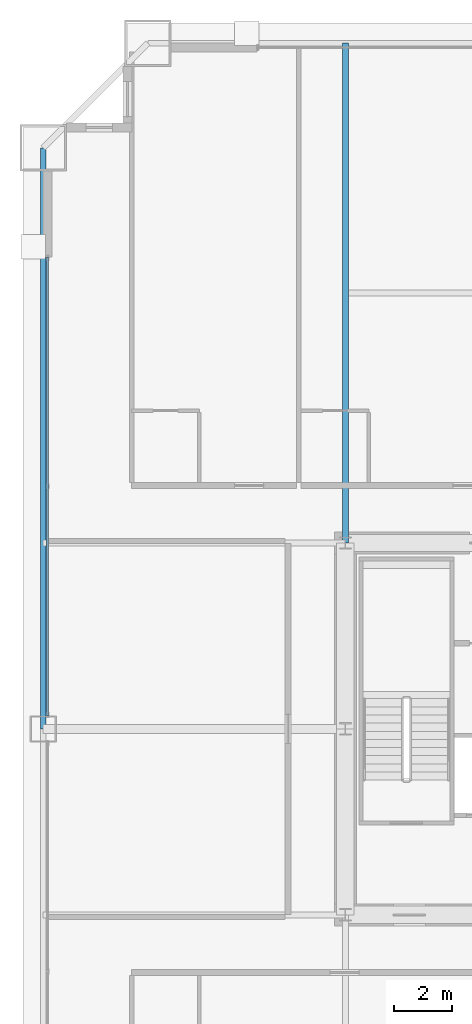
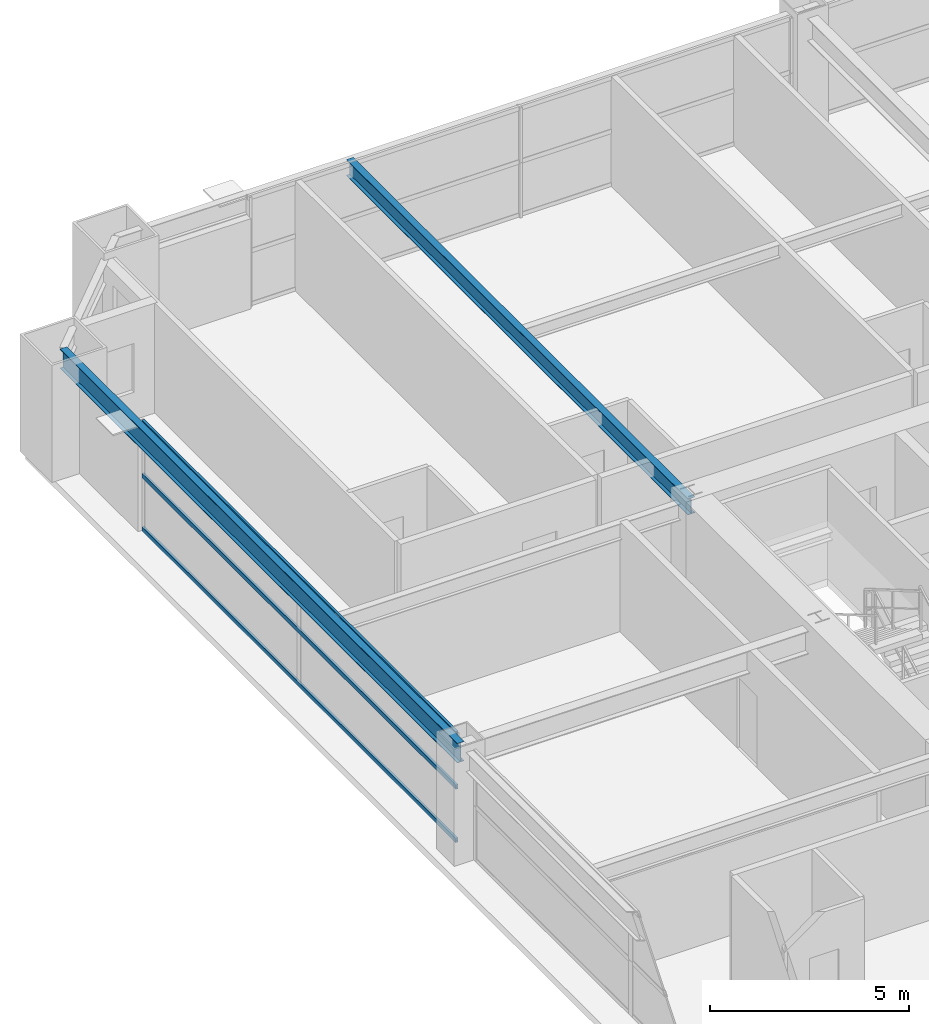
# One storey, part 21 of 38: 3 members, 2 beams, 1 element without a shape of its own.
"""IFC4 building model written with IfcOpenShell, lengths in metres."""

from ifc_helpers import new_model, si_unit, direction, frame, origin, origin_2d, place, context, subcontext, project, spatial, hollow_rectangle, i_section, extrude, source, transform, mapped, material, layer, layer_set, material_profile, profile_set, type_object, element, aggregate, save


model = new_model("IFC4")

# Units and contexts
model_context = context("Model", 3, precision=1e-05, world=origin(), true_north=direction((0.0, 1.0)))
body_context = subcontext(model_context, "Body", "Model", "MODEL_VIEW")
ifc_project = project(units=[si_unit("LENGTHUNIT", "METRE"), si_unit("AREAUNIT", "SQUARE_METRE"), si_unit("VOLUMEUNIT", "CUBIC_METRE"), si_unit("PLANEANGLEUNIT", "RADIAN"), si_unit("MASSUNIT", "GRAM", prefix="KILO"), si_unit("THERMODYNAMICTEMPERATUREUNIT", "KELVIN"), si_unit("POWERUNIT", "WATT")], contexts=[model_context])

# Site, building, storey
site_placement = place(None, origin())
site = spatial("IfcSite", under=ifc_project, at=site_placement, CompositionType="ELEMENT")
building_placement = place(site_placement, origin())
building = spatial("IfcBuilding", under=site, at=building_placement, Name="Yuzanri Waterfront Tower", CompositionType="ELEMENT")
storey_placement = place(building_placement, frame((0.0, 0.0, 119.0)))
storey = spatial("IfcBuildingStorey", under=building, at=storey_placement, Name="L31", CompositionType="ELEMENT", Elevation=119.0)

# Beams
ifc_material_1 = material(Name="Steel Q355B", Category="steel")
ifc_material_profile_1 = material_profile(ifc_material_1, i_section(OverallWidth=0.199951171875, OverallDepth=0.60009765625, WebThickness=0.010986328125, FlangeThickness=0.01708984375, at=origin_2d()), Name="HN 600x200x11x17")
ifc_profile_set_1 = profile_set([ifc_material_profile_1], Name="Steel Q355B")
beam_type_1 = type_object("IfcBeamType", Name="Perimeter Spandrel Q355B HN 600x200", PredefinedType="SPANDREL", material=ifc_profile_set_1)
shared_shape_1 = source(origin(), body_context, "Body", "SweptSolid", [
    extrude(i_section(OverallWidth=0.199951171875, OverallDepth=0.60009765625, WebThickness=0.010986328125, FlangeThickness=0.01708984375, at=origin_2d()), origin(), (0.0, 0.0, 1.0), 20.0),
])
beam_1_placement = place(storey_placement, frame((13.39990234375, 45.800048828125, 3.080078125), z_axis=(0.0, -1.0, 0.0), x_axis=(1.0, 0.0, 0.0)))
element("IfcBeam", 1, at=beam_1_placement, inside=storey, type_object=beam_type_1, Name="L31 Perimeter Spandrel W3-W2", PredefinedType="SPANDREL", context=body_context, shape_type="MappedRepresentation", body=[
    mapped(shared_shape_1, transform((0.0, 0.0, 0.0), scale=1.0)),
])
ifc_material_2 = material(Name="Steel Q355B", Category="steel")
ifc_material_profile_2 = material_profile(ifc_material_2, i_section(OverallWidth=0.199951171875, OverallDepth=0.5, WebThickness=0.010009765625, FlangeThickness=0.01611328125, at=origin_2d()), Name="HN 500x200x10x16")
ifc_profile_set_2 = profile_set([ifc_material_profile_2], Name="Steel Q355B")
beam_type_2 = type_object("IfcBeamType", Name="Secondary Floor Beam Q355B HN 500x200", PredefinedType="BEAM", material=ifc_profile_set_2)
shared_shape_2 = source(origin(), body_context, "Body", "SweptSolid", [
    extrude(i_section(OverallWidth=0.199951171875, OverallDepth=0.5, WebThickness=0.010009765625, FlangeThickness=0.01611328125, at=origin_2d()), origin(), (0.0, 0.0, 1.0), 17.199951171875),
])
beam_2_placement = place(storey_placement, frame((23.800048828125, 32.199951171875, 3.1298828125), z_axis=(0.0, 1.0, 0.0), x_axis=(-1.0, 0.0, 0.0)))
element("IfcBeam", 2, at=beam_2_placement, inside=storey, type_object=beam_type_2, Name="L31 North-West Core Line Beam", PredefinedType="BEAM", context=body_context, shape_type="MappedRepresentation", body=[
    mapped(shared_shape_2, transform((0.0, 0.0, 0.0), scale=1.0)),
])

# Curtain wall, members
ifc_material_3 = material(Name="Anodized Architectural Bronze", Category="metal")
ifc_layer = layer(ifc_material_3, 0.159912109375)
ifc_layer_set = layer_set([ifc_layer], Name="Anodized Architectural Bronze")
curtain_wall_type = type_object("IfcCurtainWallType", Name="Anodized Bronze Hotel Upper-Tier Solar-Control Unitized Curtain Wall 7800", PredefinedType="NOTDEFINED", material=ifc_layer_set)
curtain_wall_placement = place(storey_placement, origin())
curtain_wall = element("IfcCurtainWall", 3, at=curtain_wall_placement, inside=storey, type_object=curtain_wall_type, Name="L31 Curtain Wall CW-L31-WR", PredefinedType="NOTDEFINED")
ifc_material_4 = material(Name="Anodized Architectural Bronze", Category="metal")
ifc_material_profile_3 = material_profile(ifc_material_4, hollow_rectangle(XDim=0.070068359375, YDim=0.135009765625, WallThickness=0.00341796875, at=origin_2d()), Name="CWT 70x135")
ifc_profile_set_3 = profile_set([ifc_material_profile_3], Name="Anodized Architectural Bronze")
member_type = type_object("IfcMemberType", Name="Anodized Bronze Standard Curtain-Wall Transom 70x135", PredefinedType="USERDEFINED", material=ifc_profile_set_3)
shared_shape_3 = source(origin(), body_context, "Body", "SweptSolid", [
    extrude(hollow_rectangle(XDim=0.070068359375, YDim=0.135009765625, WallThickness=0.00341796875, at=origin_2d()), origin(), (0.0, 0.0, 1.0), 15.800048828125),
])
member_1_placement = place(storey_placement, frame((13.550048828125, 26.25, 0.050048828125), z_axis=(0.0, 1.0, 0.0), x_axis=(-1.0, 0.0, 0.0)))
member_1 = element("IfcMember", 4, at=member_1_placement, type_object=member_type, Name="CW-L31-WR Transom 1", ObjectType="TRANSOM", PredefinedType="USERDEFINED", context=body_context, shape_type="MappedRepresentation", body=[
    mapped(shared_shape_3, transform((0.0, 0.0, 0.0), scale=1.0)),
])
member_2_placement = place(storey_placement, frame((13.550048828125, 26.25, 1.68994140625), z_axis=(0.0, 1.0, 0.0), x_axis=(-1.0, 0.0, 0.0)))
member_2 = element("IfcMember", 5, at=member_2_placement, type_object=member_type, Name="CW-L31-WR Transom 2", ObjectType="TRANSOM", PredefinedType="USERDEFINED", context=body_context, shape_type="MappedRepresentation", body=[
    mapped(shared_shape_3, transform((0.0, 0.0, 0.0), scale=1.0)),
])
member_3_placement = place(storey_placement, frame((13.550048828125, 26.25, 3.330078125), z_axis=(0.0, 1.0, 0.0), x_axis=(-1.0, 0.0, 0.0)))
member_3 = element("IfcMember", 6, at=member_3_placement, type_object=member_type, Name="CW-L31-WR Transom 3", ObjectType="TRANSOM", PredefinedType="USERDEFINED", context=body_context, shape_type="MappedRepresentation", body=[
    mapped(shared_shape_3, transform((0.0, 0.0, 0.0), scale=1.0)),
])
aggregate(curtain_wall, [member_1, member_2, member_3])

save(model, "model.ifc")
